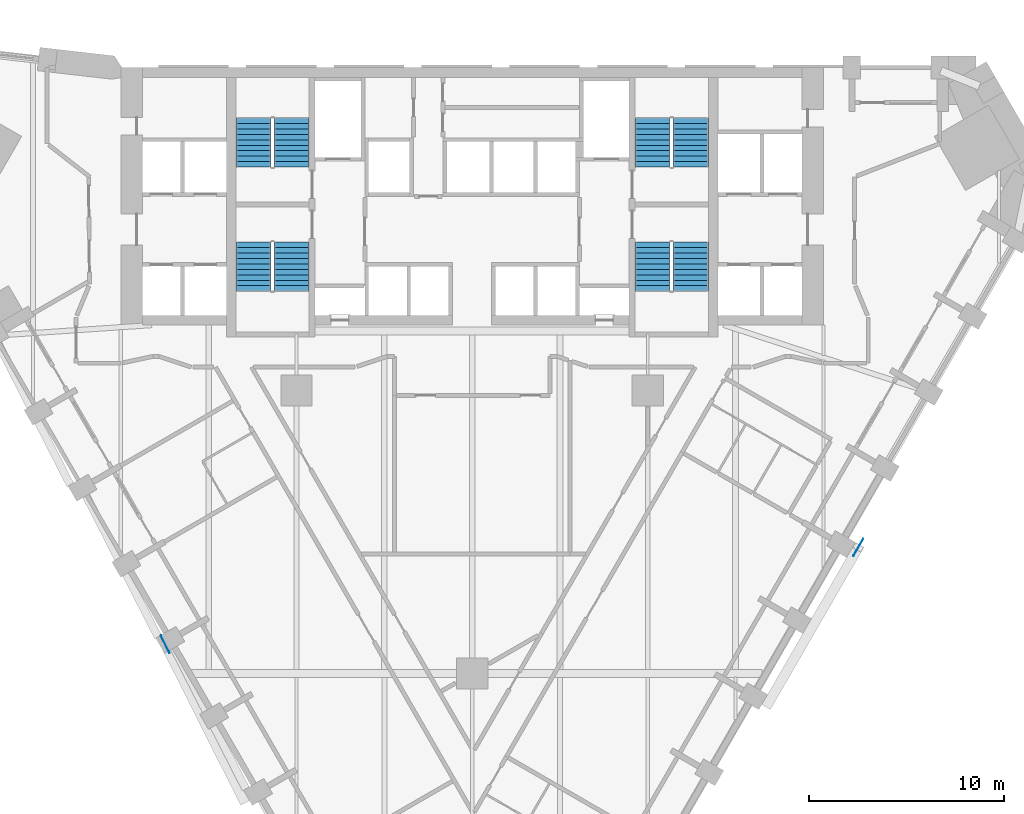
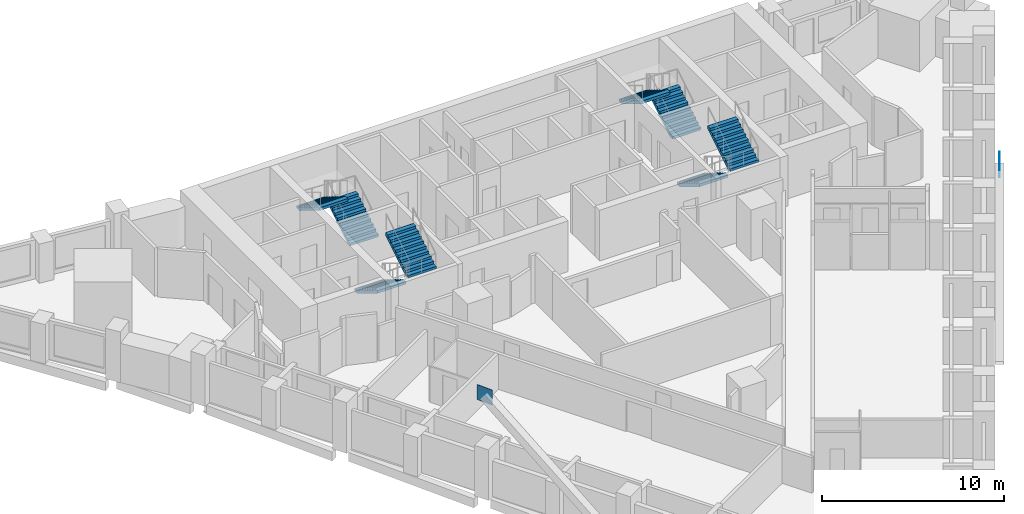
# One storey, part 9 of 10: 8 stair flights, 2 discrete accessories, 4 elements without a shape of their own.
"""IFC4 building model written with IfcOpenShell, lengths in metres."""

from ifc_helpers import new_model, si_unit, direction, frame, origin, origin_2d, place, context, subcontext, project, spatial, rectangle, extrude, faceted_brep, source, transform, mapped, material, type_object, element, aggregate, save


model = new_model("IFC4")

# Units and contexts
model_context = context("Model", 3, precision=1e-05, world=origin(), true_north=direction((0.0, 1.0)))
body_context = subcontext(model_context, "Body", "Model", "MODEL_VIEW")
ifc_project = project(units=[si_unit("LENGTHUNIT", "METRE"), si_unit("AREAUNIT", "SQUARE_METRE"), si_unit("VOLUMEUNIT", "CUBIC_METRE"), si_unit("PLANEANGLEUNIT", "RADIAN"), si_unit("MASSUNIT", "GRAM", prefix="KILO")], contexts=[model_context])

# Site, building, storey
site_placement = place(None, origin())
site = spatial("IfcSite", under=ifc_project, at=site_placement, CompositionType="ELEMENT")
building_placement = place(site_placement, origin())
building = spatial("IfcBuilding", under=site, at=building_placement, Name="Calabash Gate Tower", CompositionType="ELEMENT")
storey_placement = place(building_placement, frame((0.0, 0.0, 59.60009765625)))
storey = spatial("IfcBuildingStorey", under=building, at=storey_placement, Name="L10", CompositionType="ELEMENT", Elevation=59.60009765625)

# Stair, stair flights
ifc_material_1 = material(Name="Concrete C40/50", Category="concrete")
stair_type = type_object("IfcStairType", Name="Exit stair 20 risers of 170 mm", PredefinedType="HALF_TURN_STAIR", material=ifc_material_1)
stair_1_placement = place(storey_placement, origin())
stair_1 = element("IfcStair", 1, at=stair_1_placement, inside=storey, type_object=stair_type, Name="L10 Exit stair ST1", PredefinedType="HALF_TURN_STAIR")
ifc_material_2 = material(Name="Concrete C40/50", Category="concrete")
stair_flight_type = type_object("IfcStairFlightType", Name="Exit stair flight SFL", PredefinedType="STRAIGHT", material=ifc_material_2)
shared_shape = source(origin(), body_context, "Body", "Brep", [
    faceted_brep([(-0.0009765625, -0.89990234375, 0.0), (0.2880859375, -0.89990234375, 0.0), (2.511962890625, -0.89990234375, 1.3544921875), (-0.0009765625, 0.89990234375, 0.0), (2.511962890625, 0.89990234375, 1.3544921875), (0.2880859375, 0.89990234375, 0.0), (2.511962890625, -0.89990234375, 1.5419921875), (2.510986328125, -0.89990234375, 1.5419921875), (2.510986328125, 0.89990234375, 1.5419921875), (2.511962890625, 0.89990234375, 1.5419921875), (2.510986328125, -0.89990234375, 1.530029296875), (2.510986328125, 0.89990234375, 1.530029296875), (2.23193359375, -0.89990234375, 1.530029296875), (2.23193359375, 0.89990234375, 1.530029296875), (2.23193359375, -0.89990234375, 1.360107421875), (2.23193359375, 0.89990234375, 1.360107421875), (1.952880859375, -0.89990234375, 1.360107421875), (1.952880859375, 0.89990234375, 1.360107421875), (1.952880859375, -0.89990234375, 1.18994140625), (1.952880859375, 0.89990234375, 1.18994140625), (1.674072265625, -0.89990234375, 1.18994140625), (1.674072265625, -0.89990234375, 1.02001953125), (1.674072265625, 0.89990234375, 1.02001953125), (1.674072265625, 0.89990234375, 1.18994140625), (1.39501953125, -0.89990234375, 1.02001953125), (1.39501953125, -0.89990234375, 0.85009765625), (1.39501953125, 0.89990234375, 0.85009765625), (1.39501953125, 0.89990234375, 1.02001953125), (1.115966796875, -0.89990234375, 0.85009765625), (1.115966796875, -0.89990234375, 0.679931640625), (1.115966796875, 0.89990234375, 0.679931640625), (1.115966796875, 0.89990234375, 0.85009765625), (0.8369140625, -0.89990234375, 0.679931640625), (0.8369140625, -0.89990234375, 0.510009765625), (0.8369140625, 0.89990234375, 0.510009765625), (0.8369140625, 0.89990234375, 0.679931640625), (0.55810546875, -0.89990234375, 0.510009765625), (0.55810546875, -0.89990234375, 0.340087890625), (0.55810546875, 0.89990234375, 0.340087890625), (0.55810546875, 0.89990234375, 0.510009765625), (0.279052734375, -0.89990234375, 0.340087890625), (0.279052734375, -0.89990234375, 0.169921875), (0.279052734375, 0.89990234375, 0.169921875), (0.279052734375, 0.89990234375, 0.340087890625), (-0.0009765625, -0.89990234375, 0.169921875), (-0.0009765625, 0.89990234375, 0.169921875), (0.2880859375, -0.360107421875, 0.0), (2.511962890625, -0.360107421875, 1.3544921875), (0.2880859375, -0.179931640625, 0.0), (2.511962890625, -0.179931640625, 1.3544921875), (0.2880859375, 0.0, 0.0), (2.511962890625, 0.0, 1.3544921875), (0.2880859375, 0.179931640625, 0.0), (2.511962890625, 0.179931640625, 1.3544921875), (0.2880859375, 0.360107421875, 0.0), (2.511962890625, 0.360107421875, 1.3544921875), (2.511962890625, -0.360107421875, 1.5419921875), (2.511962890625, -0.179931640625, 1.5419921875), (2.511962890625, 0.0, 1.5419921875), (2.511962890625, 0.179931640625, 1.5419921875), (2.511962890625, 0.360107421875, 1.5419921875), (2.510986328125, -0.360107421875, 1.5419921875), (2.510986328125, -0.179931640625, 1.5419921875), (2.510986328125, 0.0, 1.5419921875), (2.510986328125, 0.179931640625, 1.5419921875), (2.510986328125, 0.360107421875, 1.5419921875), (2.510986328125, -0.360107421875, 1.530029296875), (2.510986328125, -0.179931640625, 1.530029296875), (2.510986328125, 0.0, 1.530029296875), (2.510986328125, 0.179931640625, 1.530029296875), (2.510986328125, 0.360107421875, 1.530029296875), (2.23193359375, -0.360107421875, 1.530029296875), (2.23193359375, -0.179931640625, 1.530029296875), (2.23193359375, 0.0, 1.530029296875), (2.23193359375, 0.179931640625, 1.530029296875), (2.23193359375, 0.360107421875, 1.530029296875), (2.23193359375, -0.360107421875, 1.360107421875), (2.23193359375, -0.179931640625, 1.360107421875), (2.23193359375, 0.0, 1.360107421875), (2.23193359375, 0.179931640625, 1.360107421875), (2.23193359375, 0.360107421875, 1.360107421875), (1.952880859375, -0.360107421875, 1.360107421875), (1.952880859375, -0.179931640625, 1.360107421875), (1.952880859375, 0.0, 1.360107421875), (1.952880859375, 0.179931640625, 1.360107421875), (1.952880859375, 0.360107421875, 1.360107421875), (1.952880859375, -0.360107421875, 1.18994140625), (1.952880859375, -0.179931640625, 1.18994140625), (1.952880859375, 0.0, 1.18994140625), (1.952880859375, 0.179931640625, 1.18994140625), (1.952880859375, 0.360107421875, 1.18994140625), (1.674072265625, -0.360107421875, 1.18994140625), (1.674072265625, -0.179931640625, 1.18994140625), (1.674072265625, 0.0, 1.18994140625), (1.674072265625, 0.179931640625, 1.18994140625), (1.674072265625, 0.360107421875, 1.18994140625), (1.674072265625, -0.360107421875, 1.02001953125), (1.674072265625, -0.179931640625, 1.02001953125), (1.674072265625, 0.0, 1.02001953125), (1.674072265625, 0.179931640625, 1.02001953125), (1.674072265625, 0.360107421875, 1.02001953125), (1.39501953125, -0.360107421875, 1.02001953125), (1.39501953125, -0.179931640625, 1.02001953125), (1.39501953125, 0.0, 1.02001953125), (1.39501953125, 0.179931640625, 1.02001953125), (1.39501953125, 0.360107421875, 1.02001953125), (1.39501953125, -0.360107421875, 0.85009765625), (1.39501953125, -0.179931640625, 0.85009765625), (1.39501953125, 0.0, 0.85009765625), (1.39501953125, 0.179931640625, 0.85009765625), (1.39501953125, 0.360107421875, 0.85009765625), (1.115966796875, -0.360107421875, 0.85009765625), (1.115966796875, -0.179931640625, 0.85009765625), (1.115966796875, 0.0, 0.85009765625), (1.115966796875, 0.179931640625, 0.85009765625), (1.115966796875, 0.360107421875, 0.85009765625), (1.115966796875, -0.360107421875, 0.679931640625), (1.115966796875, -0.179931640625, 0.679931640625), (1.115966796875, 0.0, 0.679931640625), (1.115966796875, 0.179931640625, 0.679931640625), (1.115966796875, 0.360107421875, 0.679931640625), (0.8369140625, -0.360107421875, 0.679931640625), (0.8369140625, -0.179931640625, 0.679931640625), (0.8369140625, 0.0, 0.679931640625), (0.8369140625, 0.179931640625, 0.679931640625), (0.8369140625, 0.360107421875, 0.679931640625), (0.8369140625, -0.360107421875, 0.510009765625), (0.8369140625, -0.179931640625, 0.510009765625), (0.8369140625, 0.0, 0.510009765625), (0.8369140625, 0.179931640625, 0.510009765625), (0.8369140625, 0.360107421875, 0.510009765625), (0.55810546875, -0.360107421875, 0.510009765625), (0.55810546875, -0.179931640625, 0.510009765625), (0.55810546875, 0.0, 0.510009765625), (0.55810546875, 0.179931640625, 0.510009765625), (0.55810546875, 0.360107421875, 0.510009765625), (0.55810546875, -0.360107421875, 0.340087890625), (0.55810546875, -0.179931640625, 0.340087890625), (0.55810546875, 0.0, 0.340087890625), (0.55810546875, 0.179931640625, 0.340087890625), (0.55810546875, 0.360107421875, 0.340087890625), (0.279052734375, -0.360107421875, 0.340087890625), (0.279052734375, -0.179931640625, 0.340087890625), (0.279052734375, 0.0, 0.340087890625), (0.279052734375, 0.179931640625, 0.340087890625), (0.279052734375, 0.360107421875, 0.340087890625), (0.279052734375, -0.360107421875, 0.169921875), (0.279052734375, -0.179931640625, 0.169921875), (0.279052734375, 0.0, 0.169921875), (0.279052734375, 0.179931640625, 0.169921875), (0.279052734375, 0.360107421875, 0.169921875), (-0.0009765625, -0.360107421875, 0.169921875), (-0.0009765625, -0.179931640625, 0.169921875), (-0.0009765625, 0.0, 0.169921875), (-0.0009765625, 0.179931640625, 0.169921875), (-0.0009765625, 0.360107421875, 0.169921875), (-0.0009765625, -0.360107421875, 0.0), (-0.0009765625, -0.179931640625, 0.0), (-0.0009765625, 0.0, 0.0), (-0.0009765625, 0.179931640625, 0.0), (-0.0009765625, 0.360107421875, 0.0)], [[[0, 1, 2]], [[3, 4, 5]], [[2, 6, 7]], [[4, 8, 9]], [[2, 7, 10]], [[4, 11, 8]], [[2, 10, 12]], [[4, 13, 11]], [[2, 12, 14]], [[4, 15, 13]], [[2, 14, 16]], [[4, 17, 15]], [[2, 16, 18]], [[4, 19, 17]], [[18, 20, 21]], [[19, 22, 23]], [[2, 18, 21]], [[4, 22, 19]], [[21, 24, 25]], [[22, 26, 27]], [[2, 21, 25]], [[4, 26, 22]], [[25, 28, 29]], [[26, 30, 31]], [[2, 25, 29]], [[4, 30, 26]], [[29, 32, 33]], [[30, 34, 35]], [[2, 29, 33]], [[4, 34, 30]], [[33, 36, 37]], [[34, 38, 39]], [[2, 33, 37]], [[4, 38, 34]], [[37, 40, 41]], [[38, 42, 43]], [[2, 37, 41]], [[4, 42, 38]], [[0, 2, 41]], [[3, 42, 4]], [[41, 44, 0]], [[42, 3, 45]], [[1, 46, 2]], [[46, 47, 2]], [[46, 48, 47]], [[48, 49, 47]], [[48, 50, 49]], [[50, 51, 49]], [[50, 52, 53]], [[50, 53, 51]], [[52, 54, 55]], [[52, 55, 53]], [[54, 5, 4]], [[54, 4, 55]], [[2, 47, 6]], [[47, 56, 6]], [[47, 49, 56]], [[49, 57, 56]], [[49, 51, 57]], [[51, 58, 57]], [[51, 53, 59]], [[51, 59, 58]], [[53, 55, 60]], [[53, 60, 59]], [[55, 4, 9]], [[55, 9, 60]], [[6, 56, 7]], [[56, 61, 7]], [[56, 57, 61]], [[57, 62, 61]], [[57, 58, 62]], [[58, 63, 62]], [[58, 59, 64]], [[58, 64, 63]], [[59, 60, 65]], [[59, 65, 64]], [[60, 9, 8]], [[60, 8, 65]], [[7, 61, 10]], [[61, 66, 10]], [[61, 62, 66]], [[62, 67, 66]], [[62, 63, 67]], [[63, 68, 67]], [[63, 64, 69]], [[63, 69, 68]], [[64, 65, 70]], [[64, 70, 69]], [[65, 8, 11]], [[65, 11, 70]], [[10, 66, 12]], [[66, 71, 12]], [[66, 67, 71]], [[67, 72, 71]], [[67, 68, 72]], [[68, 73, 72]], [[68, 69, 74]], [[68, 74, 73]], [[69, 70, 75]], [[69, 75, 74]], [[70, 11, 13]], [[70, 13, 75]], [[12, 71, 14]], [[71, 76, 14]], [[71, 72, 76]], [[72, 77, 76]], [[72, 73, 77]], [[73, 78, 77]], [[73, 74, 79]], [[73, 79, 78]], [[74, 75, 80]], [[74, 80, 79]], [[75, 13, 15]], [[75, 15, 80]], [[14, 76, 16]], [[76, 81, 16]], [[76, 77, 81]], [[77, 82, 81]], [[77, 78, 82]], [[78, 83, 82]], [[78, 79, 84]], [[78, 84, 83]], [[79, 80, 85]], [[79, 85, 84]], [[80, 15, 17]], [[80, 17, 85]], [[16, 81, 18]], [[81, 86, 18]], [[81, 82, 86]], [[82, 87, 86]], [[82, 83, 87]], [[83, 88, 87]], [[83, 84, 89]], [[83, 89, 88]], [[84, 85, 90]], [[84, 90, 89]], [[85, 17, 19]], [[85, 19, 90]], [[18, 86, 20]], [[86, 91, 20]], [[86, 87, 91]], [[87, 92, 91]], [[87, 88, 92]], [[88, 93, 92]], [[88, 89, 94]], [[88, 94, 93]], [[89, 90, 95]], [[89, 95, 94]], [[90, 19, 23]], [[90, 23, 95]], [[20, 91, 21]], [[91, 96, 21]], [[91, 92, 96]], [[92, 97, 96]], [[92, 93, 97]], [[93, 98, 97]], [[93, 94, 99]], [[93, 99, 98]], [[94, 95, 100]], [[94, 100, 99]], [[95, 23, 22]], [[95, 22, 100]], [[21, 96, 24]], [[96, 101, 24]], [[96, 97, 101]], [[97, 102, 101]], [[97, 98, 102]], [[98, 103, 102]], [[98, 99, 104]], [[98, 104, 103]], [[99, 100, 105]], [[99, 105, 104]], [[100, 22, 27]], [[100, 27, 105]], [[24, 101, 25]], [[101, 106, 25]], [[101, 102, 106]], [[102, 107, 106]], [[102, 103, 107]], [[103, 108, 107]], [[103, 104, 109]], [[103, 109, 108]], [[104, 105, 110]], [[104, 110, 109]], [[105, 27, 26]], [[105, 26, 110]], [[25, 106, 28]], [[106, 111, 28]], [[106, 107, 111]], [[107, 112, 111]], [[107, 108, 112]], [[108, 113, 112]], [[108, 109, 114]], [[108, 114, 113]], [[109, 110, 115]], [[109, 115, 114]], [[110, 26, 31]], [[110, 31, 115]], [[28, 111, 29]], [[111, 116, 29]], [[111, 112, 116]], [[112, 117, 116]], [[112, 113, 117]], [[113, 118, 117]], [[113, 114, 119]], [[113, 119, 118]], [[114, 115, 120]], [[114, 120, 119]], [[115, 31, 30]], [[115, 30, 120]], [[29, 116, 32]], [[116, 121, 32]], [[116, 117, 121]], [[117, 122, 121]], [[117, 118, 122]], [[118, 123, 122]], [[118, 119, 124]], [[118, 124, 123]], [[119, 120, 125]], [[119, 125, 124]], [[120, 30, 35]], [[120, 35, 125]], [[32, 121, 33]], [[121, 126, 33]], [[121, 122, 126]], [[122, 127, 126]], [[122, 123, 127]], [[123, 128, 127]], [[123, 124, 129]], [[123, 129, 128]], [[124, 125, 130]], [[124, 130, 129]], [[125, 35, 34]], [[125, 34, 130]], [[33, 126, 36]], [[126, 131, 36]], [[126, 127, 131]], [[127, 132, 131]], [[127, 128, 132]], [[128, 133, 132]], [[128, 129, 134]], [[128, 134, 133]], [[129, 130, 135]], [[129, 135, 134]], [[130, 34, 39]], [[130, 39, 135]], [[36, 131, 37]], [[131, 136, 37]], [[131, 132, 136]], [[132, 137, 136]], [[132, 133, 137]], [[133, 138, 137]], [[133, 134, 139]], [[133, 139, 138]], [[134, 135, 140]], [[134, 140, 139]], [[135, 39, 38]], [[135, 38, 140]], [[37, 136, 40]], [[136, 141, 40]], [[136, 137, 141]], [[137, 142, 141]], [[137, 138, 142]], [[138, 143, 142]], [[138, 139, 144]], [[138, 144, 143]], [[139, 140, 145]], [[139, 145, 144]], [[140, 38, 43]], [[140, 43, 145]], [[40, 141, 41]], [[141, 146, 41]], [[141, 142, 146]], [[142, 147, 146]], [[142, 143, 147]], [[143, 148, 147]], [[143, 144, 149]], [[143, 149, 148]], [[144, 145, 150]], [[144, 150, 149]], [[145, 43, 42]], [[145, 42, 150]], [[41, 146, 44]], [[146, 151, 44]], [[146, 147, 151]], [[147, 152, 151]], [[147, 148, 152]], [[148, 153, 152]], [[148, 149, 154]], [[148, 154, 153]], [[149, 150, 155]], [[149, 155, 154]], [[150, 42, 45]], [[150, 45, 155]], [[44, 151, 0]], [[151, 156, 0]], [[151, 152, 156]], [[152, 157, 156]], [[152, 153, 157]], [[153, 158, 157]], [[153, 154, 159]], [[153, 159, 158]], [[154, 155, 160]], [[154, 160, 159]], [[155, 45, 3]], [[155, 3, 160]], [[0, 156, 1]], [[156, 46, 1]], [[156, 157, 46]], [[157, 48, 46]], [[157, 158, 48]], [[158, 50, 48]], [[158, 159, 52]], [[158, 52, 50]], [[159, 160, 54]], [[159, 54, 52]], [[160, 3, 5]], [[160, 5, 54]]]),
])
stair_flight_1_placement = place(storey_placement, frame((-9.25, 13.95263671875, 0.0), z_axis=(0.0, 0.0, 1.0), x_axis=(0.0, 1.0, 0.0)))
stair_flight_1 = element("IfcStairFlight", 2, at=stair_flight_1_placement, type_object=stair_flight_type, Name="ST1 flight 1", NumberOfRisers=10, NumberOfTreads=9, PredefinedType="STRAIGHT", RiserHeight=0.17, TreadLength=0.279, context=body_context, shape_type="MappedRepresentation", body=[
    mapped(shared_shape, transform((0.0, 0.0, 0.0), scale=1.0)),
])
stair_flight_2_placement = place(storey_placement, frame((-11.199951171875, 16.463623046875, 1.699951171875), z_axis=(0.0, 0.0, 1.0), x_axis=(0.0, -1.0, 0.0)))
stair_flight_2 = element("IfcStairFlight", 3, at=stair_flight_2_placement, type_object=stair_flight_type, Name="ST1 flight 2", NumberOfRisers=10, NumberOfTreads=9, PredefinedType="STRAIGHT", RiserHeight=0.17, TreadLength=0.279, context=body_context, shape_type="MappedRepresentation", body=[
    mapped(shared_shape, transform((0.0, 0.0, 0.0), scale=1.0)),
])
aggregate(stair_1, [stair_flight_1, stair_flight_2])

stair_2_placement = place(storey_placement, origin())
stair_2 = element("IfcStair", 4, at=stair_2_placement, inside=storey, type_object=stair_type, Name="L10 Exit stair ST2", PredefinedType="HALF_TURN_STAIR")
stair_flight_3_placement = place(storey_placement, frame((-11.199951171875, 10.1025390625, 0.0), z_axis=(0.0, 0.0, 1.0), x_axis=(0.0, -1.0, 0.0)))
stair_flight_3 = element("IfcStairFlight", 5, at=stair_flight_3_placement, type_object=stair_flight_type, Name="ST2 flight 1", NumberOfRisers=10, NumberOfTreads=9, PredefinedType="STRAIGHT", RiserHeight=0.17, TreadLength=0.279, context=body_context, shape_type="MappedRepresentation", body=[
    mapped(shared_shape, transform((0.0, 0.0, 0.0), scale=1.0)),
])
stair_flight_4_placement = place(storey_placement, frame((-9.25, 7.591552734375, 1.699951171875), z_axis=(0.0, 0.0, 1.0), x_axis=(0.0, 1.0, 0.0)))
stair_flight_4 = element("IfcStairFlight", 6, at=stair_flight_4_placement, type_object=stair_flight_type, Name="ST2 flight 2", NumberOfRisers=10, NumberOfTreads=9, PredefinedType="STRAIGHT", RiserHeight=0.17, TreadLength=0.279, context=body_context, shape_type="MappedRepresentation", body=[
    mapped(shared_shape, transform((0.0, 0.0, 0.0), scale=1.0)),
])
aggregate(stair_2, [stair_flight_3, stair_flight_4])

stair_3_placement = place(storey_placement, origin())
stair_3 = element("IfcStair", 7, at=stair_3_placement, inside=storey, type_object=stair_type, Name="L10 Exit stair ST3", PredefinedType="HALF_TURN_STAIR")
stair_flight_5_placement = place(storey_placement, frame((11.199951171875, 13.95263671875, 0.0), z_axis=(0.0, 0.0, 1.0), x_axis=(0.0, 1.0, 0.0)))
stair_flight_5 = element("IfcStairFlight", 8, at=stair_flight_5_placement, type_object=stair_flight_type, Name="ST3 flight 1", NumberOfRisers=10, NumberOfTreads=9, PredefinedType="STRAIGHT", RiserHeight=0.17, TreadLength=0.279, context=body_context, shape_type="MappedRepresentation", body=[
    mapped(shared_shape, transform((0.0, 0.0, 0.0), scale=1.0)),
])
stair_flight_6_placement = place(storey_placement, frame((9.25, 16.463623046875, 1.699951171875), z_axis=(0.0, 0.0, 1.0), x_axis=(0.0, -1.0, 0.0)))
stair_flight_6 = element("IfcStairFlight", 9, at=stair_flight_6_placement, type_object=stair_flight_type, Name="ST3 flight 2", NumberOfRisers=10, NumberOfTreads=9, PredefinedType="STRAIGHT", RiserHeight=0.17, TreadLength=0.279, context=body_context, shape_type="MappedRepresentation", body=[
    mapped(shared_shape, transform((0.0, 0.0, 0.0), scale=1.0)),
])
aggregate(stair_3, [stair_flight_5, stair_flight_6])

stair_4_placement = place(storey_placement, origin())
stair_4 = element("IfcStair", 10, at=stair_4_placement, inside=storey, type_object=stair_type, Name="L10 Exit stair ST4", PredefinedType="HALF_TURN_STAIR")
stair_flight_7_placement = place(storey_placement, frame((9.25, 10.1025390625, 0.0), z_axis=(0.0, 0.0, 1.0), x_axis=(0.0, -1.0, 0.0)))
stair_flight_7 = element("IfcStairFlight", 11, at=stair_flight_7_placement, type_object=stair_flight_type, Name="ST4 flight 1", NumberOfRisers=10, NumberOfTreads=9, PredefinedType="STRAIGHT", RiserHeight=0.17, TreadLength=0.279, context=body_context, shape_type="MappedRepresentation", body=[
    mapped(shared_shape, transform((0.0, 0.0, 0.0), scale=1.0)),
])
stair_flight_8_placement = place(storey_placement, frame((11.199951171875, 7.591552734375, 1.699951171875), z_axis=(0.0, 0.0, 1.0), x_axis=(0.0, 1.0, 0.0)))
stair_flight_8 = element("IfcStairFlight", 12, at=stair_flight_8_placement, type_object=stair_flight_type, Name="ST4 flight 2", NumberOfRisers=10, NumberOfTreads=9, PredefinedType="STRAIGHT", RiserHeight=0.17, TreadLength=0.279, context=body_context, shape_type="MappedRepresentation", body=[
    mapped(shared_shape, transform((0.0, 0.0, 0.0), scale=1.0)),
])
aggregate(stair_4, [stair_flight_7, stair_flight_8])

# Discrete accessories
ifc_material_3 = material(Name="Steel ASTM A572 Gr50", Category="steel")
discrete_accessory_type = type_object("IfcDiscreteAccessoryType", Name="Connection plate 25", PredefinedType="BRACKET", material=ifc_material_3)
for number, where, z_axis, x_axis, name in (
    (13, (-15.72900390625, -10.5029296875, 6.29345703125), (0.0, 0.0, 1.0), (-0.44916400467, 0.893449325317, 0.0), "Connection plate Mega-brace SW Z1 3 end"),
    (14, (19.787841796875, -5.53955078125, 6.29345703125), (0.0, 0.0, 1.0), (0.5, 0.866025403784, 0.0), "Connection plate Mega-brace SE Z1 8 end"),
):
    element("IfcDiscreteAccessory", number, at=place(storey_placement, frame(where, z_axis=z_axis, x_axis=x_axis)), inside=storey, type_object=discrete_accessory_type, Name=name, PredefinedType="BRACKET", context=body_context, shape_type="SweptSolid", body=[
        extrude(rectangle(XDim=1.0126953125, YDim=0.02490234375, at=origin_2d()), origin(), (0.0, 0.0, 1.0), 1.0126953125),
    ])

save(model, "model.ifc")
